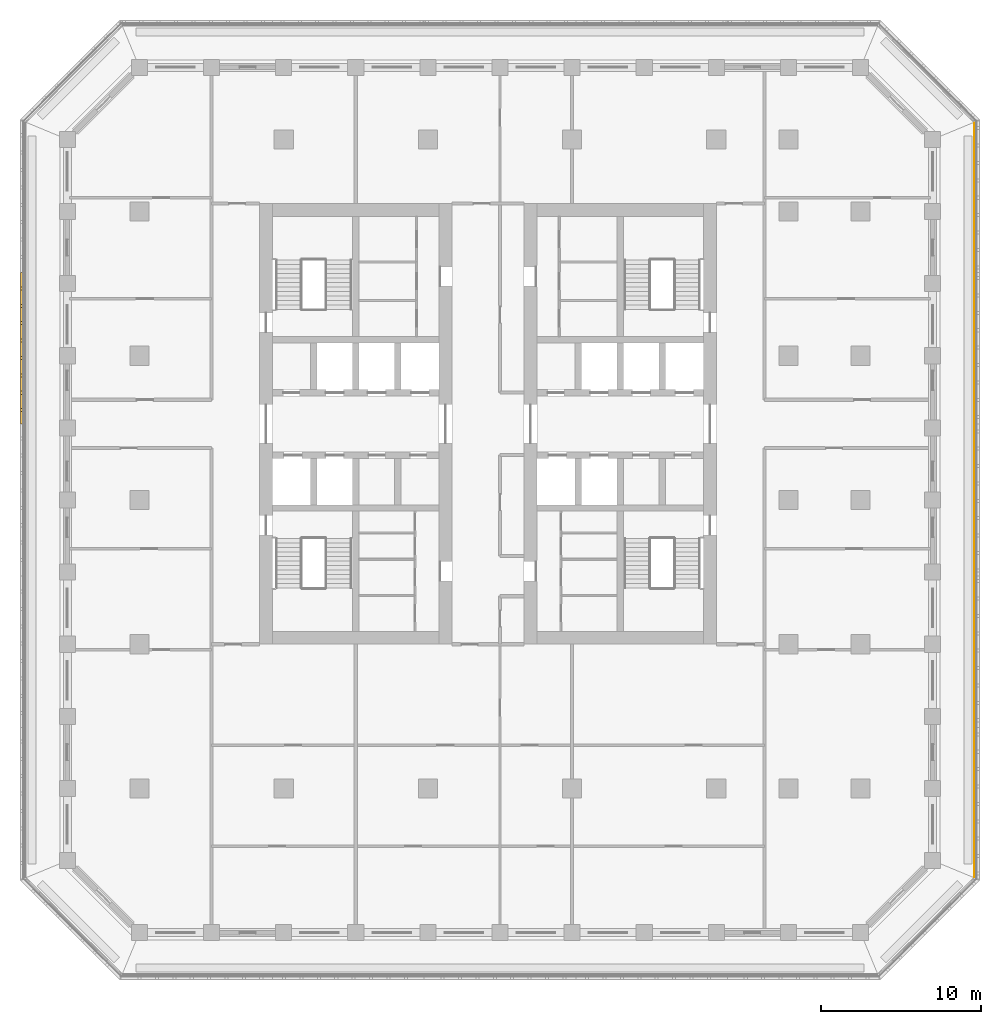
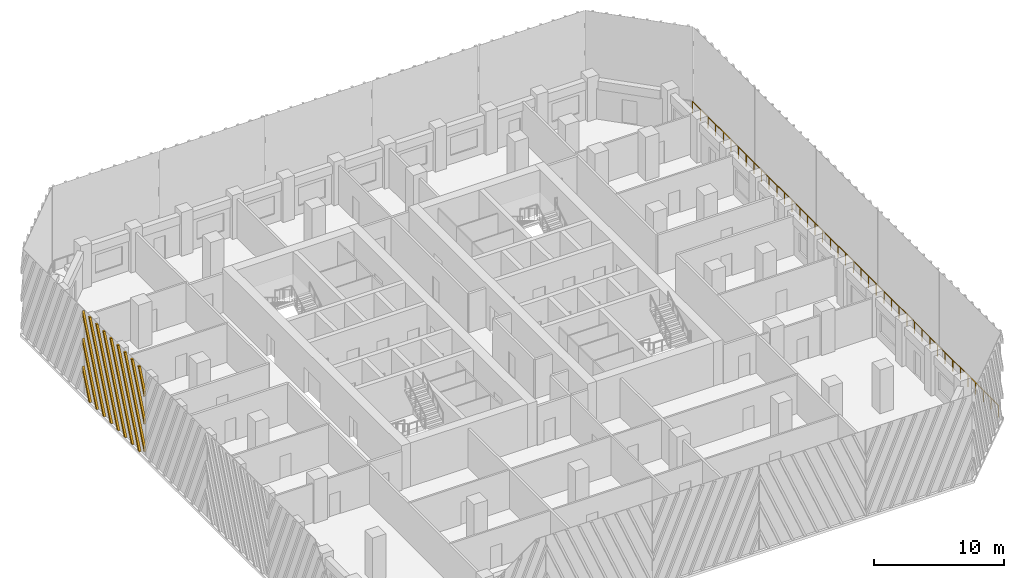
# One storey, part 13 of 17: 1 railing, 1 shading device.
"""IFC4 building model written with IfcOpenShell, lengths in metres."""

import ifcopenshell
import ifcopenshell.guid

model = None  # the IFC model being written
_history = None  # IfcOwnerHistory: only IFC2X3 demands one
_inside = {}  # id of a spatial element -> (the spatial element, [elements in it])
_under = {}  # id of a project, library or spatial element -> (it, [spatial elements below it])
_declared = {}  # id of a project -> (the project, [libraries it declares])
_typed = {}  # id of a type object -> (the type object, [elements of that type])
_made_of = {}  # id of a material, layer set ... -> (it, [elements and type objects made of it])


def new_model(schema):
    """Start an empty IFC model of exactly this schema.

    Asked for "IFC4X3", IfcOpenShell would pick the latest addendum, in which some entities
    have other attributes; the version numbers below select the first issue.
    IFC2X3 requires an IfcOwnerHistory on every rooted entity: one is made here for all.
    """
    global model, _history
    if schema == "IFC4X3":
        model = ifcopenshell.file(schema_version=(4, 3, 0, 0))
    else:
        model = ifcopenshell.file(schema=schema)
    _inside.clear()
    _under.clear()
    _declared.clear()
    _typed.clear()
    _made_of.clear()
    _history = None
    if model.schema == "IFC2X3":
        org = make("IfcOrganization", Name="unknown")
        user = make(
            "IfcPersonAndOrganization",
            ThePerson=make("IfcPerson", FamilyName="unknown"),
            TheOrganization=org,
        )
        app = make(
            "IfcApplication",
            ApplicationDeveloper=org,
            Version="unknown",
            ApplicationFullName="unknown",
            ApplicationIdentifier="unknown",
        )
        _history = make(
            "IfcOwnerHistory",
            OwningUser=user,
            OwningApplication=app,
            ChangeAction="ADDED",
            CreationDate=0,
        )
    return model


def make(cls, **values):
    """One entity of the class cls with the attributes given. An attribute that is None is left unset."""
    return model.create_entity(
        cls, **{name: value for name, value in values.items() if value is not None}
    )


def rooted(cls, **values):
    """An entity with a GlobalId (a new one), such as an element, a storey or a relation."""
    return make(cls, GlobalId=ifcopenshell.guid.new(), OwnerHistory=_history, **values)


def si_unit(unit_type, name, prefix=None):
    """IfcSIUnit, for example si_unit("LENGTHUNIT", "METRE", prefix="MILLI")."""
    return make("IfcSIUnit", UnitType=unit_type, Prefix=prefix, Name=name)


def assignment(units):
    """IfcUnitAssignment: the units of a project."""
    return None if units is None else make("IfcUnitAssignment", Units=units)


def point(xyz):
    """IfcCartesianPoint."""
    return None if xyz is None else make("IfcCartesianPoint", Coordinates=xyz)


def direction(xyz):
    """IfcDirection."""
    return None if xyz is None else make("IfcDirection", DirectionRatios=xyz)


def frame(location, z_axis=None, x_axis=None):
    """IfcAxis2Placement3D, a coordinate frame: its origin and axes. An axis left out is left unset."""
    return make(
        "IfcAxis2Placement3D",
        Location=point(location),
        Axis=direction(z_axis),
        RefDirection=direction(x_axis),
    )


def frame_2d(location, x_axis=None):
    """IfcAxis2Placement2D, a coordinate frame in the plane: its origin and x axis."""
    return make(
        "IfcAxis2Placement2D", Location=point(location), RefDirection=direction(x_axis)
    )


def origin():
    """The frame at (0, 0, 0) with its axes left unset."""
    return frame((0.0, 0.0, 0.0))


def origin_2d():
    """The frame at (0, 0) in the plane with its x axis left unset."""
    return frame_2d((0.0, 0.0))


def place(relative_to, where):
    """IfcLocalPlacement: puts the frame where relative to a parent placement (None: the world)."""
    return make(
        "IfcLocalPlacement", PlacementRelTo=relative_to, RelativePlacement=where
    )


def context(
    kind, dimensions, precision=None, world=None, true_north=None, identifier=None
):
    """IfcGeometricRepresentationContext, for example the 3D "Model" context."""
    return make(
        "IfcGeometricRepresentationContext",
        ContextIdentifier=identifier,
        ContextType=kind,
        CoordinateSpaceDimension=dimensions,
        Precision=precision,
        WorldCoordinateSystem=world,
        TrueNorth=true_north,
    )


def subcontext(parent, identifier, kind, view, scale=None):
    """IfcGeometricRepresentationSubContext, for example "Body" below "Model"."""
    return make(
        "IfcGeometricRepresentationSubContext",
        ContextIdentifier=identifier,
        ContextType=kind,
        ParentContext=parent,
        TargetScale=scale,
        TargetView=view,
    )


def project(units=None, contexts=None):
    """IfcProject with its units and contexts."""
    return rooted(
        "IfcProject",
        Name="project",
        RepresentationContexts=contexts,
        UnitsInContext=assignment(units),
    )


def spatial(cls, under=None, at=None, **own):
    """A site, building, storey or space (cls), placed at a placement, below another one or the project."""
    s = rooted(cls, ObjectPlacement=at, **own)
    if under is not None:
        _under.setdefault(under.id(), (under, []))[1].append(s)
    return s


def polyline(points):
    """IfcPolyline through the points."""
    return make("IfcPolyline", Points=[point(p) for p in points])


def profile(cls, at=None, kind="AREA", **sizes):
    """A parametric profile (cls). Its sizes go by their IFC names, for example OverallWidth=200.0."""
    return make(cls, ProfileType=kind, Position=at, **sizes)


def circle(**sizes):
    """IfcCircleProfileDef."""
    return profile("IfcCircleProfileDef", **sizes)


def outline(outer, holes=None, kind="AREA"):
    """IfcArbitraryClosedProfileDef: a profile drawn as a closed curve; with holes, ...WithVoids."""
    if holes is None:
        return make("IfcArbitraryClosedProfileDef", ProfileType=kind, OuterCurve=outer)
    return make(
        "IfcArbitraryProfileDefWithVoids",
        ProfileType=kind,
        OuterCurve=outer,
        InnerCurves=holes,
    )


def extrude(swept, where, along, depth):
    """IfcExtrudedAreaSolid: the profile swept, set in the frame where, extruded along a direction by depth."""
    return make(
        "IfcExtrudedAreaSolid",
        SweptArea=swept,
        Position=where,
        ExtrudedDirection=direction(along),
        Depth=depth,
    )


def shape(context_of_items, identifier, shape_type, items):
    """IfcShapeRepresentation: the items that make up one representation, for example the "Body"."""
    return make(
        "IfcShapeRepresentation",
        ContextOfItems=context_of_items,
        RepresentationIdentifier=identifier,
        RepresentationType=shape_type,
        Items=items,
    )


def source(mapping_origin, context_of_items, identifier, shape_type, items):
    """IfcRepresentationMap: a shape defined once, which mapped items show again and again."""
    return make(
        "IfcRepresentationMap",
        MappingOrigin=mapping_origin,
        MappedRepresentation=shape(context_of_items, identifier, shape_type, items),
    )


def transform(
    local_origin,
    x_axis=None,
    y_axis=None,
    z_axis=None,
    scale=None,
    scale2=None,
    scale3=None,
    uniform=True,
):
    """IfcCartesianTransformationOperator3D, or its non-uniform kind. x_axis, y_axis, z_axis: its Axis1, 2, 3."""
    if uniform:
        return make(
            "IfcCartesianTransformationOperator3D",
            Axis1=direction(x_axis),
            Axis2=direction(y_axis),
            LocalOrigin=point(local_origin),
            Scale=scale,
            Axis3=direction(z_axis),
        )
    return make(
        "IfcCartesianTransformationOperator3DnonUniform",
        Axis1=direction(x_axis),
        Axis2=direction(y_axis),
        LocalOrigin=point(local_origin),
        Scale=scale,
        Axis3=direction(z_axis),
        Scale2=scale2,
        Scale3=scale3,
    )


def mapped(mapping_source, mapping_target):
    """IfcMappedItem: shows the shape of a source again, moved by a transform."""
    return make(
        "IfcMappedItem", MappingSource=mapping_source, MappingTarget=mapping_target
    )


def material(Name=None, Category=None):
    """IfcMaterial."""
    return make("IfcMaterial", Name=Name, Category=Category)


def made_of(thing, what):
    """Note that an element or type object is made of a material, layer set ...; save() writes the relation."""
    if what is not None:
        _made_of.setdefault(what.id(), (what, []))[1].append(thing)
    return thing


def type_object(cls, material=None, **own):
    """A type object (cls), such as IfcWallType, which elements share."""
    return made_of(rooted(cls, **own), material)


def element(
    cls,
    number,
    at=None,
    inside=None,
    cuts=None,
    type_object=None,
    material=None,
    context=None,
    identifier="Body",
    shape_type=None,
    held_by="IfcProductDefinitionShape",
    body=None,
    shapes=None,
    **own,
):
    """One element of the class cls, such as IfcWall. Its Tag is "e" and its number.

    at: its placement. inside: the storey or other place that contains it. cuts: it is an
    opening in that element (IfcRelVoidsElement). A single representation is given by context,
    identifier, shape_type and body (its items); several are given by shapes. held_by: the class
    of the entity that holds the representations. save() writes the other relations.
    """
    e = rooted(cls, Tag="e%d" % number, ObjectPlacement=at, **own)
    if body is not None:
        shapes = [shape(context, identifier, shape_type, body)]
    if shapes is not None:
        e.Representation = make(held_by, Representations=shapes)
    if inside is not None:
        _inside.setdefault(inside.id(), (inside, []))[1].append(e)
    if cuts is not None:
        rooted(
            "IfcRelVoidsElement", RelatingBuildingElement=cuts, RelatedOpeningElement=e
        )
    if type_object is not None:
        _typed.setdefault(type_object.id(), (type_object, []))[1].append(e)
    return made_of(e, material)


def aggregate(whole, parts):
    """IfcRelAggregates: a whole, such as a stair, and the parts it consists of."""
    return rooted("IfcRelAggregates", RelatingObject=whole, RelatedObjects=parts)


def save(model, path):
    """Write the relations noted so far, then the file.

    IfcRelAggregates (storeys below a building ...), IfcRelContainedInSpatialStructure (elements
    in a storey), IfcRelDefinesByType, IfcRelAssociatesMaterial and IfcRelDeclares: one each for
    every whole, place, type object, material and project.
    """
    for whole, parts in _under.values():
        aggregate(whole, parts)
    for where, things in _inside.values():
        rooted(
            "IfcRelContainedInSpatialStructure",
            RelatedElements=things,
            RelatingStructure=where,
        )
    for kind, things in _typed.values():
        rooted("IfcRelDefinesByType", RelatedObjects=things, RelatingType=kind)
    for what, things in _made_of.values():
        rooted("IfcRelAssociatesMaterial", RelatedObjects=things, RelatingMaterial=what)
    for by, libraries in _declared.values():
        rooted("IfcRelDeclares", RelatingContext=by, RelatedDefinitions=libraries)
    model.write(path)


model = new_model("IFC4")

# Units and contexts
model_context = context("Model", 3, precision=1e-05, world=origin(), true_north=direction((0.0, 1.0)))
body_context = subcontext(model_context, "Body", "Model", "MODEL_VIEW")
ifc_project = project(units=[si_unit("LENGTHUNIT", "METRE"), si_unit("AREAUNIT", "SQUARE_METRE"), si_unit("VOLUMEUNIT", "CUBIC_METRE"), si_unit("PLANEANGLEUNIT", "RADIAN"), si_unit("MASSUNIT", "GRAM", prefix="KILO")], contexts=[model_context])

# Site, building, storey
site_placement = place(None, origin())
site = spatial("IfcSite", under=ifc_project, at=site_placement, CompositionType="ELEMENT")
building_placement = place(site_placement, origin())
building = spatial("IfcBuilding", under=site, at=building_placement, Name="Corbel Stack Research Tower", CompositionType="ELEMENT")
storey_placement = place(building_placement, frame((0.0, 0.0, 207.89990234375)))
storey = spatial("IfcBuildingStorey", under=building, at=storey_placement, Name="L47", CompositionType="ELEMENT", Elevation=207.89990234375)

# Railing
ifc_material_1 = material(Name="Powder-coated steel guard", Category="steel")
railing_type = type_object("IfcRailingType", Name="Steel and glass guard 1100", PredefinedType="GUARDRAIL", material=ifc_material_1)
railing_placement = place(storey_placement, frame((34.10009765625, -23.50537109375, 0.0)))
element("IfcRailing", 1, at=railing_placement, inside=storey, type_object=railing_type, Name="Loggia guard L47 E", PredefinedType="GUARDRAIL", context=body_context, shape_type="SweptSolid", body=[
    extrude(circle(Radius=0.02392578125, at=origin_2d()), frame((0.0, 0.0, 1.076171875), z_axis=(0.0, 1.0, 0.0), x_axis=(-1.0, 0.0, 0.0)), (0.0, 0.0, 1.0), 47.0107421875),
    extrude(circle(Radius=0.02099609375, at=origin_2d()), origin(), (0.0, 0.0, 1.0), 1.052001953125),
    extrude(circle(Radius=0.02099609375, at=origin_2d()), frame((0.0, 1.17529296875, 0.0)), (0.0, 0.0, 1.0), 1.052001953125),
    extrude(circle(Radius=0.02099609375, at=origin_2d()), frame((0.0, 2.3505859375, 0.0)), (0.0, 0.0, 1.0), 1.052001953125),
    extrude(circle(Radius=0.02099609375, at=origin_2d()), frame((0.0, 3.52587890625, 0.0)), (0.0, 0.0, 1.0), 1.052001953125),
    extrude(circle(Radius=0.02099609375, at=origin_2d()), frame((0.0, 4.701171875, 0.0)), (0.0, 0.0, 1.0), 1.052001953125),
    extrude(circle(Radius=0.02099609375, at=origin_2d()), frame((0.0, 5.87646484375, 0.0)), (0.0, 0.0, 1.0), 1.052001953125),
    extrude(circle(Radius=0.02099609375, at=origin_2d()), frame((0.0, 7.051513671875, 0.0)), (0.0, 0.0, 1.0), 1.052001953125),
    extrude(circle(Radius=0.02099609375, at=origin_2d()), frame((0.0, 8.226806640625, 0.0)), (0.0, 0.0, 1.0), 1.052001953125),
    extrude(circle(Radius=0.02099609375, at=origin_2d()), frame((0.0, 9.402099609375, 0.0)), (0.0, 0.0, 1.0), 1.052001953125),
    extrude(circle(Radius=0.02099609375, at=origin_2d()), frame((0.0, 10.577392578125, 0.0)), (0.0, 0.0, 1.0), 1.052001953125),
    extrude(circle(Radius=0.02099609375, at=origin_2d()), frame((0.0, 11.752685546875, 0.0)), (0.0, 0.0, 1.0), 1.052001953125),
    extrude(circle(Radius=0.02099609375, at=origin_2d()), frame((0.0, 12.927978515625, 0.0)), (0.0, 0.0, 1.0), 1.052001953125),
    extrude(circle(Radius=0.02099609375, at=origin_2d()), frame((0.0, 14.103271484375, 0.0)), (0.0, 0.0, 1.0), 1.052001953125),
    extrude(circle(Radius=0.02099609375, at=origin_2d()), frame((0.0, 15.278564453125, 0.0)), (0.0, 0.0, 1.0), 1.052001953125),
    extrude(circle(Radius=0.02099609375, at=origin_2d()), frame((0.0, 16.453857421875, 0.0)), (0.0, 0.0, 1.0), 1.052001953125),
    extrude(circle(Radius=0.02099609375, at=origin_2d()), frame((0.0, 17.62890625, 0.0)), (0.0, 0.0, 1.0), 1.052001953125),
    extrude(circle(Radius=0.02099609375, at=origin_2d()), frame((0.0, 18.80419921875, 0.0)), (0.0, 0.0, 1.0), 1.052001953125),
    extrude(circle(Radius=0.02099609375, at=origin_2d()), frame((0.0, 19.9794921875, 0.0)), (0.0, 0.0, 1.0), 1.052001953125),
    extrude(circle(Radius=0.02099609375, at=origin_2d()), frame((0.0, 21.15478515625, 0.0)), (0.0, 0.0, 1.0), 1.052001953125),
    extrude(circle(Radius=0.02099609375, at=origin_2d()), frame((0.0, 22.330078125, 0.0)), (0.0, 0.0, 1.0), 1.052001953125),
    extrude(circle(Radius=0.02099609375, at=origin_2d()), frame((0.0, 23.50537109375, 0.0)), (0.0, 0.0, 1.0), 1.052001953125),
    extrude(circle(Radius=0.02099609375, at=origin_2d()), frame((0.0, 24.6806640625, 0.0)), (0.0, 0.0, 1.0), 1.052001953125),
    extrude(circle(Radius=0.02099609375, at=origin_2d()), frame((0.0, 25.85595703125, 0.0)), (0.0, 0.0, 1.0), 1.052001953125),
    extrude(circle(Radius=0.02099609375, at=origin_2d()), frame((0.0, 27.03125, 0.0)), (0.0, 0.0, 1.0), 1.052001953125),
    extrude(circle(Radius=0.02099609375, at=origin_2d()), frame((0.0, 28.20654296875, 0.0)), (0.0, 0.0, 1.0), 1.052001953125),
    extrude(circle(Radius=0.02099609375, at=origin_2d()), frame((0.0, 29.3818359375, 0.0)), (0.0, 0.0, 1.0), 1.052001953125),
    extrude(circle(Radius=0.02099609375, at=origin_2d()), frame((0.0, 30.556884765625, 0.0)), (0.0, 0.0, 1.0), 1.052001953125),
    extrude(circle(Radius=0.02099609375, at=origin_2d()), frame((0.0, 31.732177734375, 0.0)), (0.0, 0.0, 1.0), 1.052001953125),
    extrude(circle(Radius=0.02099609375, at=origin_2d()), frame((0.0, 32.907470703125, 0.0)), (0.0, 0.0, 1.0), 1.052001953125),
    extrude(circle(Radius=0.02099609375, at=origin_2d()), frame((0.0, 34.082763671875, 0.0)), (0.0, 0.0, 1.0), 1.052001953125),
    extrude(circle(Radius=0.02099609375, at=origin_2d()), frame((0.0, 35.258056640625, 0.0)), (0.0, 0.0, 1.0), 1.052001953125),
    extrude(circle(Radius=0.02099609375, at=origin_2d()), frame((0.0, 36.433349609375, 0.0)), (0.0, 0.0, 1.0), 1.052001953125),
    extrude(circle(Radius=0.02099609375, at=origin_2d()), frame((0.0, 37.608642578125, 0.0)), (0.0, 0.0, 1.0), 1.052001953125),
    extrude(circle(Radius=0.02099609375, at=origin_2d()), frame((0.0, 38.783935546875, 0.0)), (0.0, 0.0, 1.0), 1.052001953125),
    extrude(circle(Radius=0.02099609375, at=origin_2d()), frame((0.0, 39.959228515625, 0.0)), (0.0, 0.0, 1.0), 1.052001953125),
    extrude(circle(Radius=0.02099609375, at=origin_2d()), frame((0.0, 41.13427734375, 0.0)), (0.0, 0.0, 1.0), 1.052001953125),
    extrude(circle(Radius=0.02099609375, at=origin_2d()), frame((0.0, 42.3095703125, 0.0)), (0.0, 0.0, 1.0), 1.052001953125),
    extrude(circle(Radius=0.02099609375, at=origin_2d()), frame((0.0, 43.48486328125, 0.0)), (0.0, 0.0, 1.0), 1.052001953125),
    extrude(circle(Radius=0.02099609375, at=origin_2d()), frame((0.0, 44.66015625, 0.0)), (0.0, 0.0, 1.0), 1.052001953125),
    extrude(circle(Radius=0.02099609375, at=origin_2d()), frame((0.0, 45.83544921875, 0.0)), (0.0, 0.0, 1.0), 1.052001953125),
    extrude(circle(Radius=0.02099609375, at=origin_2d()), frame((0.0, 47.0107421875, 0.0)), (0.0, 0.0, 1.0), 1.052001953125),
])

# Shading device
ifc_material_2 = material(Name="Precast terracotta", Category="masonry")
shading_device_type = type_object("IfcShadingDeviceType", Name="Terracotta screen panel", PredefinedType="USERDEFINED", material=ifc_material_2)
shared_shape = source(origin(), body_context, "Body", "SweptSolid", [
    extrude(outline(polyline([(1.14453125, 0.0), (0.0, 2.740478515625), (0.0, 2.285400390625), (0.95458984375, 0.0), (1.14453125, 0.0)])), frame((0.0, 0.0, 0.0), z_axis=(0.0, -1.0, 0.0), x_axis=(1.0, 0.0, 0.0)), (0.0, 0.0, 1.0), 0.179931640625),
    extrude(outline(polyline([(2.22900390625, 0.0), (0.0, 5.337646484375), (0.0, 4.882568359375), (2.0390625, 0.0), (2.22900390625, 0.0)])), frame((0.0, 0.0, 0.0), z_axis=(0.0, -1.0, 0.0), x_axis=(1.0, 0.0, 0.0)), (0.0, 0.0, 1.0), 0.179931640625),
    extrude(outline(polyline([(3.313720703125, 0.0), (0.0, 7.934814453125), (0.0, 7.479736328125), (3.123779296875, 0.0), (3.313720703125, 0.0)])), frame((0.0, 0.0, 0.0), z_axis=(0.0, -1.0, 0.0), x_axis=(1.0, 0.0, 0.0)), (0.0, 0.0, 1.0), 0.179931640625),
    extrude(outline(polyline([(4.3984375, 0.0), (1.078369140625, 7.949951171875), (0.88818359375, 7.949951171875), (4.20849609375, 0.0), (4.3984375, 0.0)])), frame((0.0, 0.0, 0.0), z_axis=(0.0, -1.0, 0.0), x_axis=(1.0, 0.0, 0.0)), (0.0, 0.0, 1.0), 0.179931640625),
    extrude(outline(polyline([(5.483154296875, 0.0), (2.1630859375, 7.949951171875), (1.972900390625, 7.949951171875), (5.293212890625, 0.0), (5.483154296875, 0.0)])), frame((0.0, 0.0, 0.0), z_axis=(0.0, -1.0, 0.0), x_axis=(1.0, 0.0, 0.0)), (0.0, 0.0, 1.0), 0.179931640625),
    extrude(outline(polyline([(6.56787109375, 0.0), (3.24755859375, 7.949951171875), (3.0576171875, 7.949951171875), (6.377685546875, 0.0), (6.56787109375, 0.0)])), frame((0.0, 0.0, 0.0), z_axis=(0.0, -1.0, 0.0), x_axis=(1.0, 0.0, 0.0)), (0.0, 0.0, 1.0), 0.179931640625),
    extrude(outline(polyline([(7.652587890625, 0.0), (4.332275390625, 7.949951171875), (4.142333984375, 7.949951171875), (7.46240234375, 0.0), (7.652587890625, 0.0)])), frame((0.0, 0.0, 0.0), z_axis=(0.0, -1.0, 0.0), x_axis=(1.0, 0.0, 0.0)), (0.0, 0.0, 1.0), 0.179931640625),
    extrude(outline(polyline([(8.737060546875, 0.0), (5.4169921875, 7.949951171875), (5.22705078125, 7.949951171875), (8.547119140625, 0.0), (8.737060546875, 0.0)])), frame((0.0, 0.0, 0.0), z_axis=(0.0, -1.0, 0.0), x_axis=(1.0, 0.0, 0.0)), (0.0, 0.0, 1.0), 0.179931640625),
    extrude(outline(polyline([(6.501708984375, 7.949951171875), (6.3115234375, 7.949951171875), (9.45556640625, 0.421875), (9.45556640625, 0.876708984375), (6.501708984375, 7.949951171875)])), frame((0.0, 0.0, 0.0), z_axis=(0.0, -1.0, 0.0), x_axis=(1.0, 0.0, 0.0)), (0.0, 0.0, 1.0), 0.179931640625),
    extrude(outline(polyline([(7.586181640625, 7.949951171875), (7.396240234375, 7.949951171875), (9.45556640625, 3.01904296875), (9.45556640625, 3.473876953125), (7.586181640625, 7.949951171875)])), frame((0.0, 0.0, 0.0), z_axis=(0.0, -1.0, 0.0), x_axis=(1.0, 0.0, 0.0)), (0.0, 0.0, 1.0), 0.179931640625),
    extrude(outline(polyline([(8.6708984375, 7.949951171875), (8.48095703125, 7.949951171875), (9.45556640625, 5.6162109375), (9.45556640625, 6.071044921875), (8.6708984375, 7.949951171875)])), frame((0.0, 0.0, 0.0), z_axis=(0.0, -1.0, 0.0), x_axis=(1.0, 0.0, 0.0)), (0.0, 0.0, 1.0), 0.179931640625),
])
shading_device_placement = place(storey_placement, frame((-25.25, 14.18359375, 0.0), z_axis=(0.0, 0.0, 1.0), x_axis=(0.0, -1.0, 0.0)))
element("IfcShadingDevice", 2, at=shading_device_placement, inside=storey, type_object=shading_device_type, Name="Terracotta screen L47 W2", ObjectType="SCREEN", PredefinedType="USERDEFINED", context=body_context, shape_type="MappedRepresentation", body=[
    mapped(shared_shape, transform((0.0, 0.0, 0.0))),
])

save(model, "model.ifc")
